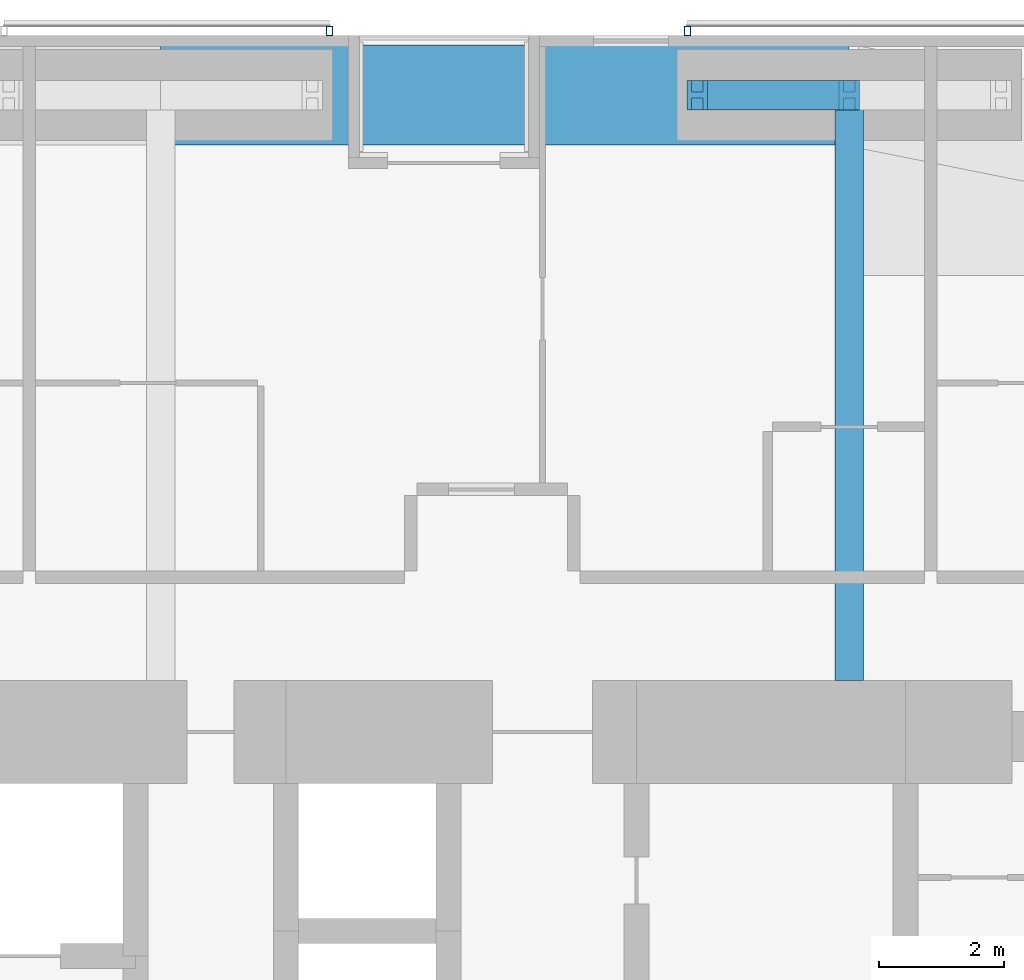
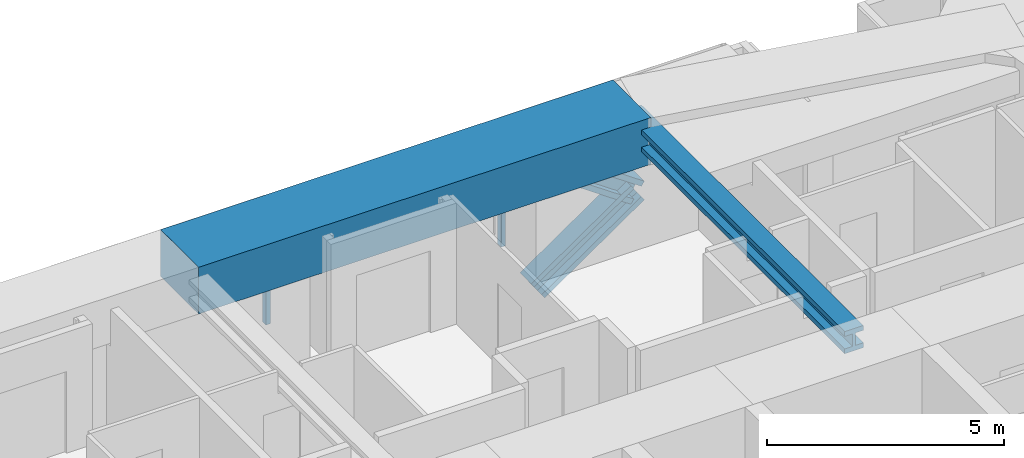
# One storey, part 14 of 24: 4 members, 2 beams, 2 elements without a shape of their own.
"""IFC4 building model written with IfcOpenShell, lengths in metres."""

from ifc_helpers import new_model, si_unit, direction, frame, origin, origin_2d, place, context, subcontext, project, spatial, rectangle, hollow_rectangle, i_section, extrude, material, material_profile, profile_set, type_object, element, aggregate, save


model = new_model("IFC4")

# Units and contexts
model_context = context("Model", 3, precision=1e-05, world=origin(), true_north=direction((0.0, 1.0)))
body_context = subcontext(model_context, "Body", "Model", "MODEL_VIEW")
ifc_project = project(units=[si_unit("LENGTHUNIT", "METRE"), si_unit("AREAUNIT", "SQUARE_METRE"), si_unit("VOLUMEUNIT", "CUBIC_METRE"), si_unit("PLANEANGLEUNIT", "RADIAN"), si_unit("MASSUNIT", "GRAM", prefix="KILO")], contexts=[model_context])

# Site, building, storey
site_placement = place(None, origin())
site = spatial("IfcSite", under=ifc_project, at=site_placement, CompositionType="ELEMENT")
building_placement = place(site_placement, origin())
building = spatial("IfcBuilding", under=site, at=building_placement, Name="Jalousie Tower", CompositionType="ELEMENT")
storey_placement = place(building_placement, frame((0.0, 0.0, 47.800048828125)))
storey = spatial("IfcBuildingStorey", under=building, at=storey_placement, Name="L12", CompositionType="ELEMENT", Elevation=47.800048828125)

# Beam
ifc_material_1 = material(Name="Steel ASTM A992 Grade 50", Category="steel")
ifc_material_profile_1 = material_profile(ifc_material_1, i_section(OverallWidth=0.45458984375, OverallDepth=0.569091796875, WebThickness=0.077880859375, FlangeThickness=0.124755859375, at=origin_2d()), Name="W14X730")
ifc_profile_set_1 = profile_set([ifc_material_profile_1], Name="Steel ASTM A992 Grade 50")
beam_type_1 = type_object("IfcBeamType", Name="LEAN COLLECTOR W14X730", PredefinedType="BEAM", material=ifc_profile_set_1)
beam_1_placement = place(storey_placement, frame((35.0, 37.050048828125, 2.825439453125), z_axis=(0.0, -1.0, 0.0), x_axis=(1.0, 0.0, 0.0)))
element("IfcBeam", 1, at=beam_1_placement, inside=storey, type_object=beam_type_1, Name="Lean collector under L13", PredefinedType="BEAM", context=body_context, shape_type="SweptSolid", body=[
    extrude(i_section(OverallWidth=0.45458984375, OverallDepth=0.569091796875, WebThickness=0.077880859375, FlangeThickness=0.124755859375, at=origin_2d()), origin(), (0.0, 0.0, 1.0), 9.35009765625),
])

# Members
ifc_material_2 = material(Name="Steel ASTM A992 Grade 50", Category="steel")
ifc_material_profile_2 = material_profile(ifc_material_2, i_section(OverallWidth=0.472412109375, OverallDepth=0.5791015625, WebThickness=0.094970703125, FlangeThickness=0.1298828125, at=origin_2d()), Name="W14X808")
ifc_profile_set_2 = profile_set([ifc_material_profile_2], Name="Steel ASTM A992 Grade 50")
member_type_1 = type_object("IfcMemberType", Name="PERIMETER BRACE W14X808", PredefinedType="BRACE", material=ifc_profile_set_2)
for number, where, z_axis, x_axis, name in (
    (2, (32.574951171875, 37.050048828125, -0.60009765625), (0.822800062329, 0.0, 0.568330940062), (0.0, 1.0, 0.0), "Perimeter brace 09 L12 part 1"),
    (3, (35.0, 37.050048828125, 1.074951171875), (-0.822800062329, 0.0, 0.568330940062), (0.0, -1.0, 0.0), "Perimeter brace 09 L12 part 4"),
):
    element("IfcMember", number, at=place(storey_placement, frame(where, z_axis=z_axis, x_axis=x_axis)), inside=storey, type_object=member_type_1, Name=name, PredefinedType="BRACE", context=body_context, shape_type="SweptSolid", body=[
        extrude(i_section(OverallWidth=0.472412109375, OverallDepth=0.5791015625, WebThickness=0.094970703125, FlangeThickness=0.1298828125, at=origin_2d()), origin(), (0.0, 0.0, 1.0), 2.947265625),
    ])

# Beam
ifc_material_3 = material(Name="Concrete f'c 40 MPa", Category="concrete")
ifc_material_profile_3 = material_profile(ifc_material_3, rectangle(XDim=1.60009765625, YDim=1.199951171875, at=origin_2d()), Name="RC 1600x1200")
ifc_profile_set_3 = profile_set([ifc_material_profile_3], Name="Concrete f'c 40 MPa")
beam_type_2 = type_object("IfcBeamType", Name="RC BEAM 1600x1200", PredefinedType="BEAM", material=ifc_profile_set_3)
beam_2_placement = place(storey_placement, frame((35.0, 37.050048828125, 2.75), z_axis=(-1.0, 0.0, 0.0), x_axis=(0.0, -1.0, 0.0)))
element("IfcBeam", 4, at=beam_2_placement, inside=storey, type_object=beam_type_2, Name="Edge band beam 09-10 under L13", PredefinedType="BEAM", context=body_context, shape_type="SweptSolid", body=[
    extrude(rectangle(XDim=1.60009765625, YDim=1.199951171875, at=origin_2d()), origin(), (0.0, 0.0, 1.0), 11.0),
])

# Curtain wall, member
ifc_material_4 = material(Name="Perforated aluminium sheet", Category="aluminium")
curtain_wall_type = type_object("IfcCurtainWallType", Name="SOLAR SCREEN SS-1", PredefinedType="USERDEFINED", material=ifc_material_4)
curtain_wall_1_placement = place(storey_placement, origin())
curtain_wall_1 = element("IfcCurtainWall", 5, at=curtain_wall_1_placement, inside=storey, type_object=curtain_wall_type, Name="Solar screen L12", ObjectType="SOLAR SCREEN SS-1", PredefinedType="USERDEFINED")
ifc_material_5 = material(Name="Steel ASTM A500 Grade C", Category="steel")
ifc_material_profile_4 = material_profile(ifc_material_5, hollow_rectangle(XDim=0.1015625, YDim=0.15234375, WallThickness=0.00634765625, at=origin_2d()), Name="HSS6X4X1/4")
ifc_profile_set_4 = profile_set([ifc_material_profile_4], Name="Steel ASTM A500 Grade C")
member_type_2 = type_object("IfcMemberType", Name="SOLAR SCREEN SS-1 MULLION", PredefinedType="MULLION", material=ifc_profile_set_4)
member_1_placement = place(storey_placement, frame((32.4150390625, 38.0712890625, -0.1201171875), z_axis=(0.0, 0.0, 1.0), x_axis=(-1.0, 0.0, 0.0)))
member_1 = element("IfcMember", 6, at=member_1_placement, type_object=member_type_2, Name="SS1 post 2", PredefinedType="MULLION", context=body_context, shape_type="SweptSolid", body=[
    extrude(hollow_rectangle(XDim=0.1015625, YDim=0.15234375, WallThickness=0.00634765625, at=origin_2d()), origin(), (0.0, 0.0, 1.0), 3.22998046875),
])
aggregate(curtain_wall_1, [member_1])

curtain_wall_2_placement = place(storey_placement, origin())
curtain_wall_2 = element("IfcCurtainWall", 7, at=curtain_wall_2_placement, inside=storey, type_object=curtain_wall_type, Name="Solar screen L12", ObjectType="SOLAR SCREEN SS-1", PredefinedType="USERDEFINED")
member_2_placement = place(storey_placement, frame((26.699951171875, 38.0712890625, -0.1201171875), z_axis=(0.0, 0.0, 1.0), x_axis=(-1.0, 0.0, 0.0)))
member_2 = element("IfcMember", 8, at=member_2_placement, type_object=member_type_2, Name="SS1 post 1", PredefinedType="MULLION", context=body_context, shape_type="SweptSolid", body=[
    extrude(hollow_rectangle(XDim=0.1015625, YDim=0.15234375, WallThickness=0.00634765625, at=origin_2d()), origin(), (0.0, 0.0, 1.0), 3.22998046875),
])
aggregate(curtain_wall_2, [member_2])

save(model, "model.ifc")
